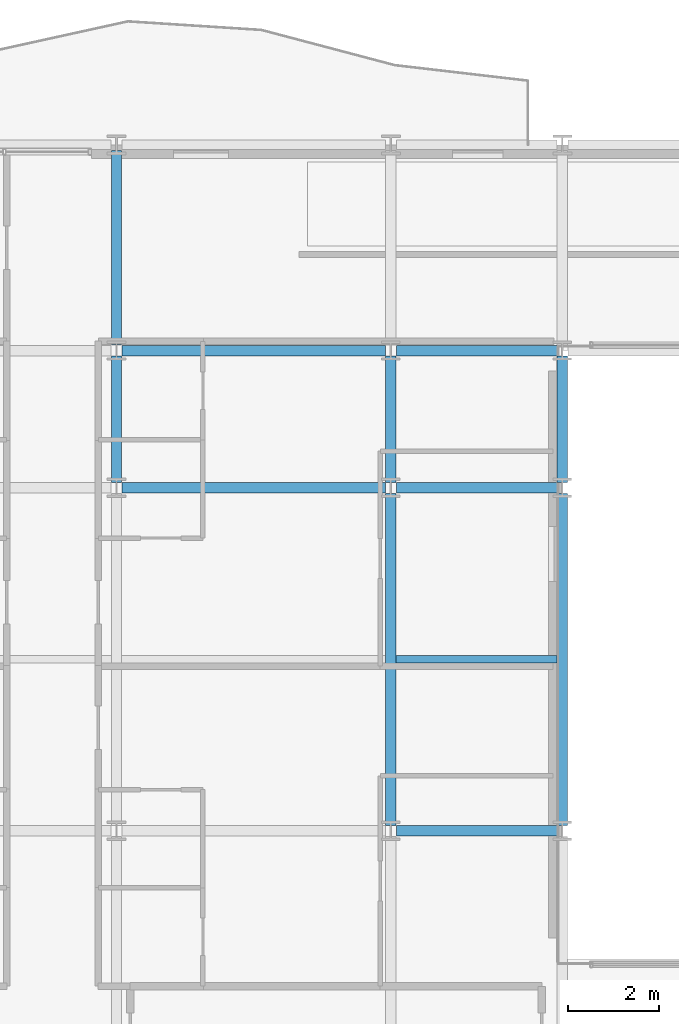
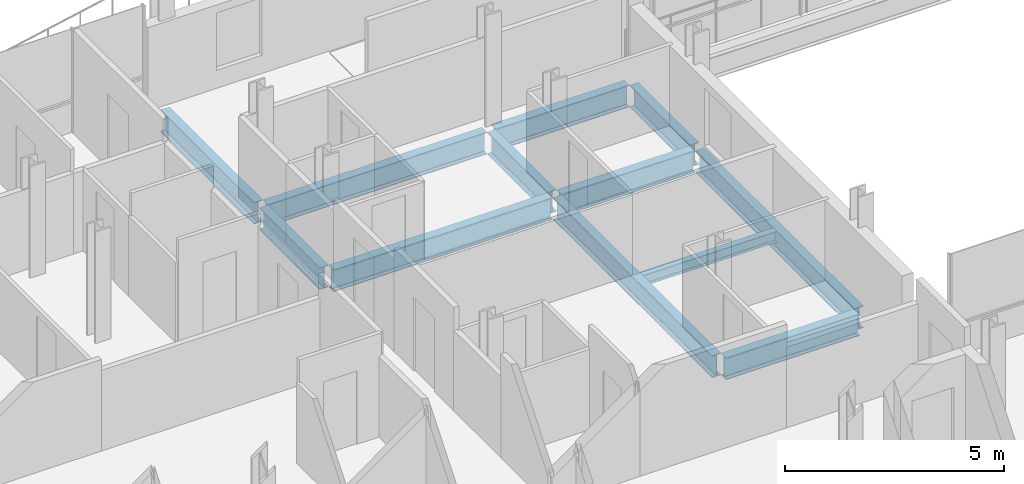
# One storey, part 8 of 41: 12 beams.
"""IFC4 building model written with IfcOpenShell, lengths in metres."""

from ifc_helpers import new_model, si_unit, direction, frame, origin, origin_2d, place, context, subcontext, project, spatial, i_section, extrude, material, material_profile, profile_set, type_object, element, save


model = new_model("IFC4")

# Units and contexts
model_context = context("Model", 3, precision=1e-05, world=origin(), true_north=direction((0.0, 1.0)))
body_context = subcontext(model_context, "Body", "Model", "MODEL_VIEW")
ifc_project = project(units=[si_unit("LENGTHUNIT", "METRE"), si_unit("AREAUNIT", "SQUARE_METRE"), si_unit("VOLUMEUNIT", "CUBIC_METRE"), si_unit("PLANEANGLEUNIT", "RADIAN"), si_unit("MASSUNIT", "GRAM", prefix="KILO")], contexts=[model_context])

# Site, building, storey
site_placement = place(None, origin())
site = spatial("IfcSite", under=ifc_project, at=site_placement, CompositionType="ELEMENT")
building_placement = place(site_placement, origin())
building = spatial("IfcBuilding", under=site, at=building_placement, Name="Brevholm Reach", CompositionType="ELEMENT")
storey_placement = place(building_placement, frame((0.0, 0.0, 112.800048828125)))
storey = spatial("IfcBuildingStorey", under=building, at=storey_placement, Name="L33", CompositionType="ELEMENT", Elevation=112.800048828125)

# Beams
ifc_material_1 = material(Name="Structural Steel S355J2", Category="steel")
ifc_material_profile_1 = material_profile(ifc_material_1, i_section(OverallWidth=0.1650390625, OverallDepth=0.303466796875, WebThickness=0.006103515625, FlangeThickness=0.01025390625, FilletRadius=0.0087890625, at=origin_2d()), Name="UKB 305x165x40")
ifc_profile_set_1 = profile_set([ifc_material_profile_1], Name="Structural Steel S355J2")
beam_type_1 = type_object("IfcBeamType", Name="BM-B305", PredefinedType="BEAM", material=ifc_profile_set_1)
beam_1_placement = place(storey_placement, frame((18.114501953125, 19.75, -0.371826171875), z_axis=(1.0, 0.0, 0.0), x_axis=(0.0, 1.0, 0.0)))
element("IfcBeam", 1, at=beam_1_placement, inside=storey, type_object=beam_type_1, Name="L33 Composite Secondary Floor Beam", PredefinedType="BEAM", context=body_context, shape_type="SweptSolid", body=[
    extrude(i_section(OverallWidth=0.1650390625, OverallDepth=0.303466796875, WebThickness=0.006103515625, FlangeThickness=0.01025390625, FilletRadius=0.0087890625, at=origin_2d()), origin(), (0.0, 0.0, 1.0), 3.52099609375),
])
ifc_material_2 = material(Name="Structural Steel S355J2", Category="steel")
ifc_material_profile_2 = material_profile(ifc_material_2, i_section(OverallWidth=0.22900390625, OverallDepth=0.6123046875, WebThickness=0.011962890625, FlangeThickness=0.01953125, FilletRadius=0.0126953125, at=origin_2d()), Name="UKB 610x229x125")
ifc_profile_set_2 = profile_set([ifc_material_profile_2], Name="Structural Steel S355J2")
beam_type_2 = type_object("IfcBeamType", Name="BM-SP610", PredefinedType="SPANDREL", material=ifc_profile_set_2)
beam_2_placement = place(storey_placement, frame((18.1201171875, 16.0, -0.526123046875), z_axis=(1.0, 0.0, 0.0), x_axis=(0.0, 1.0, 0.0)))
element("IfcBeam", 2, at=beam_2_placement, inside=storey, type_object=beam_type_2, Name="L33 SP-01 Framing Beam", PredefinedType="SPANDREL", context=body_context, shape_type="SweptSolid", body=[
    extrude(i_section(OverallWidth=0.22900390625, OverallDepth=0.6123046875, WebThickness=0.011962890625, FlangeThickness=0.01953125, FilletRadius=0.0126953125, at=origin_2d()), origin(), (0.0, 0.0, 1.0), 3.509765625),
])
beam_3_placement = place(storey_placement, frame((12.1201171875, 23.5, -0.526123046875), z_axis=(1.0, 0.0, 0.0), x_axis=(0.0, 1.0, 0.0)))
element("IfcBeam", 3, at=beam_3_placement, inside=storey, type_object=beam_type_2, Name="L33 SP-01 Framing Beam", PredefinedType="SPANDREL", context=body_context, shape_type="SweptSolid", body=[
    extrude(i_section(OverallWidth=0.22900390625, OverallDepth=0.6123046875, WebThickness=0.011962890625, FlangeThickness=0.01953125, FilletRadius=0.0126953125, at=origin_2d()), origin(), (0.0, 0.0, 1.0), 5.759765625),
])
beam_4_placement = place(storey_placement, frame((18.1201171875, 23.5, -0.526123046875), z_axis=(1.0, 0.0, 0.0), x_axis=(0.0, 1.0, 0.0)))
element("IfcBeam", 4, at=beam_4_placement, inside=storey, type_object=beam_type_2, Name="L33 SP-01 Framing Beam", PredefinedType="SPANDREL", context=body_context, shape_type="SweptSolid", body=[
    extrude(i_section(OverallWidth=0.22900390625, OverallDepth=0.6123046875, WebThickness=0.011962890625, FlangeThickness=0.01953125, FilletRadius=0.0126953125, at=origin_2d()), origin(), (0.0, 0.0, 1.0), 3.509765625),
])
beam_5_placement = place(storey_placement, frame((12.1201171875, 26.5, -0.526123046875), z_axis=(1.0, 0.0, 0.0), x_axis=(0.0, 1.0, 0.0)))
element("IfcBeam", 5, at=beam_5_placement, inside=storey, type_object=beam_type_2, Name="L33 SP-01 Framing Beam", PredefinedType="SPANDREL", context=body_context, shape_type="SweptSolid", body=[
    extrude(i_section(OverallWidth=0.22900390625, OverallDepth=0.6123046875, WebThickness=0.011962890625, FlangeThickness=0.01953125, FilletRadius=0.0126953125, at=origin_2d()), origin(), (0.0, 0.0, 1.0), 5.759765625),
])
beam_6_placement = place(storey_placement, frame((18.1201171875, 26.5, -0.526123046875), z_axis=(1.0, 0.0, 0.0), x_axis=(0.0, 1.0, 0.0)))
element("IfcBeam", 6, at=beam_6_placement, inside=storey, type_object=beam_type_2, Name="L33 SP-01 Framing Beam", PredefinedType="SPANDREL", context=body_context, shape_type="SweptSolid", body=[
    extrude(i_section(OverallWidth=0.22900390625, OverallDepth=0.6123046875, WebThickness=0.011962890625, FlangeThickness=0.01953125, FilletRadius=0.0126953125, at=origin_2d()), origin(), (0.0, 0.0, 1.0), 3.509765625),
])
beam_7_placement = place(storey_placement, frame((12.0, 23.6201171875, -0.526123046875), z_axis=(0.0, 1.0, 0.0), x_axis=(-1.0, 0.0, 0.0)))
element("IfcBeam", 7, at=beam_7_placement, inside=storey, type_object=beam_type_2, Name="L33 SP-01 Framing Beam", PredefinedType="SPANDREL", context=body_context, shape_type="SweptSolid", body=[
    extrude(i_section(OverallWidth=0.22900390625, OverallDepth=0.6123046875, WebThickness=0.011962890625, FlangeThickness=0.01953125, FilletRadius=0.0126953125, at=origin_2d()), origin(), (0.0, 0.0, 1.0), 2.759765625),
])
beam_8_placement = place(storey_placement, frame((12.0, 26.6201171875, -0.526123046875), z_axis=(0.0, 1.0, 0.0), x_axis=(-1.0, 0.0, 0.0)))
element("IfcBeam", 8, at=beam_8_placement, inside=storey, type_object=beam_type_2, Name="L33 SP-01 Framing Beam", PredefinedType="SPANDREL", context=body_context, shape_type="SweptSolid", body=[
    extrude(i_section(OverallWidth=0.22900390625, OverallDepth=0.6123046875, WebThickness=0.011962890625, FlangeThickness=0.01953125, FilletRadius=0.0126953125, at=origin_2d()), origin(), (0.0, 0.0, 1.0), 4.259765625),
])
beam_9_placement = place(storey_placement, frame((18.0, 16.1201171875, -0.526123046875), z_axis=(0.0, 1.0, 0.0), x_axis=(-1.0, 0.0, 0.0)))
element("IfcBeam", 9, at=beam_9_placement, inside=storey, type_object=beam_type_2, Name="L33 SP-01 Framing Beam", PredefinedType="SPANDREL", context=body_context, shape_type="SweptSolid", body=[
    extrude(i_section(OverallWidth=0.22900390625, OverallDepth=0.6123046875, WebThickness=0.011962890625, FlangeThickness=0.01953125, FilletRadius=0.0126953125, at=origin_2d()), origin(), (0.0, 0.0, 1.0), 7.259765625),
])
beam_10_placement = place(storey_placement, frame((18.0, 23.6201171875, -0.526123046875), z_axis=(0.0, 1.0, 0.0), x_axis=(-1.0, 0.0, 0.0)))
element("IfcBeam", 10, at=beam_10_placement, inside=storey, type_object=beam_type_2, Name="L33 SP-01 Framing Beam", PredefinedType="SPANDREL", context=body_context, shape_type="SweptSolid", body=[
    extrude(i_section(OverallWidth=0.22900390625, OverallDepth=0.6123046875, WebThickness=0.011962890625, FlangeThickness=0.01953125, FilletRadius=0.0126953125, at=origin_2d()), origin(), (0.0, 0.0, 1.0), 2.759765625),
])
beam_11_placement = place(storey_placement, frame((21.75, 16.1201171875, -0.526123046875), z_axis=(0.0, 1.0, 0.0), x_axis=(-1.0, 0.0, 0.0)))
element("IfcBeam", 11, at=beam_11_placement, inside=storey, type_object=beam_type_2, Name="L33 SP-01 Framing Beam", PredefinedType="SPANDREL", context=body_context, shape_type="SweptSolid", body=[
    extrude(i_section(OverallWidth=0.22900390625, OverallDepth=0.6123046875, WebThickness=0.011962890625, FlangeThickness=0.01953125, FilletRadius=0.0126953125, at=origin_2d()), origin(), (0.0, 0.0, 1.0), 7.259765625),
])
beam_12_placement = place(storey_placement, frame((21.75, 23.6201171875, -0.526123046875), z_axis=(0.0, 1.0, 0.0), x_axis=(-1.0, 0.0, 0.0)))
element("IfcBeam", 12, at=beam_12_placement, inside=storey, type_object=beam_type_2, Name="L33 SP-01 Framing Beam", PredefinedType="SPANDREL", context=body_context, shape_type="SweptSolid", body=[
    extrude(i_section(OverallWidth=0.22900390625, OverallDepth=0.6123046875, WebThickness=0.011962890625, FlangeThickness=0.01953125, FilletRadius=0.0126953125, at=origin_2d()), origin(), (0.0, 0.0, 1.0), 2.759765625),
])

save(model, "model.ifc")
